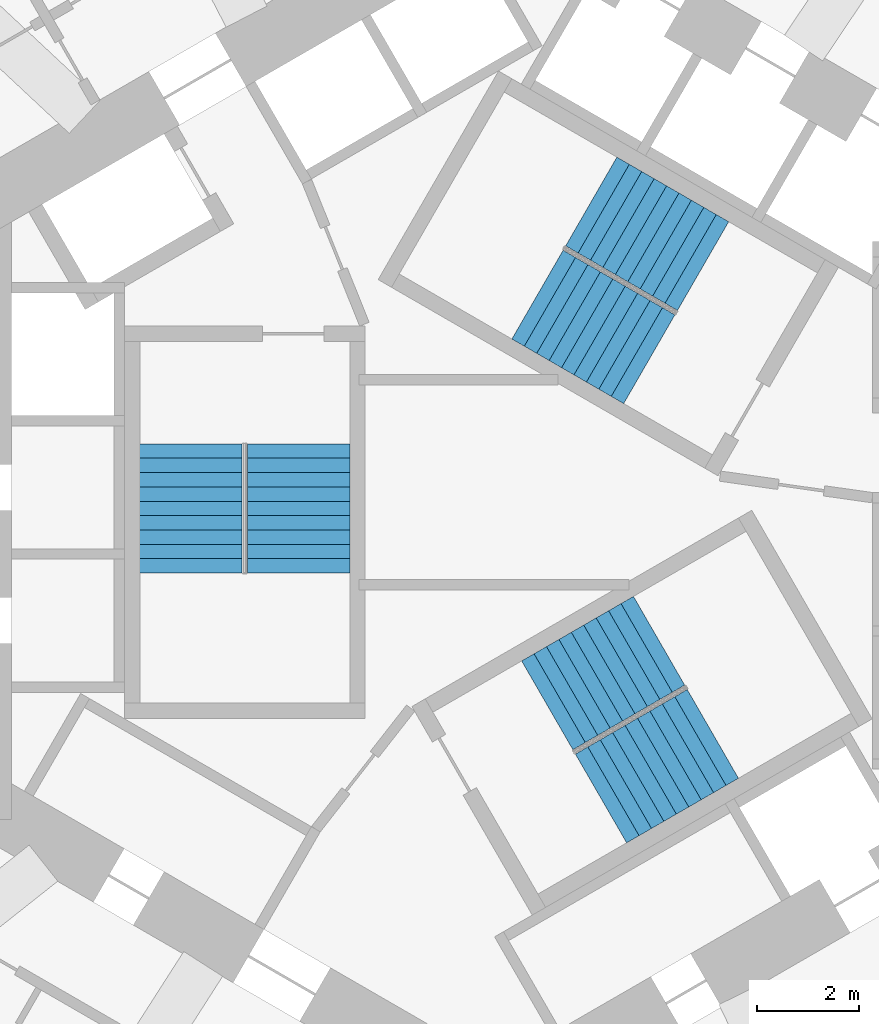
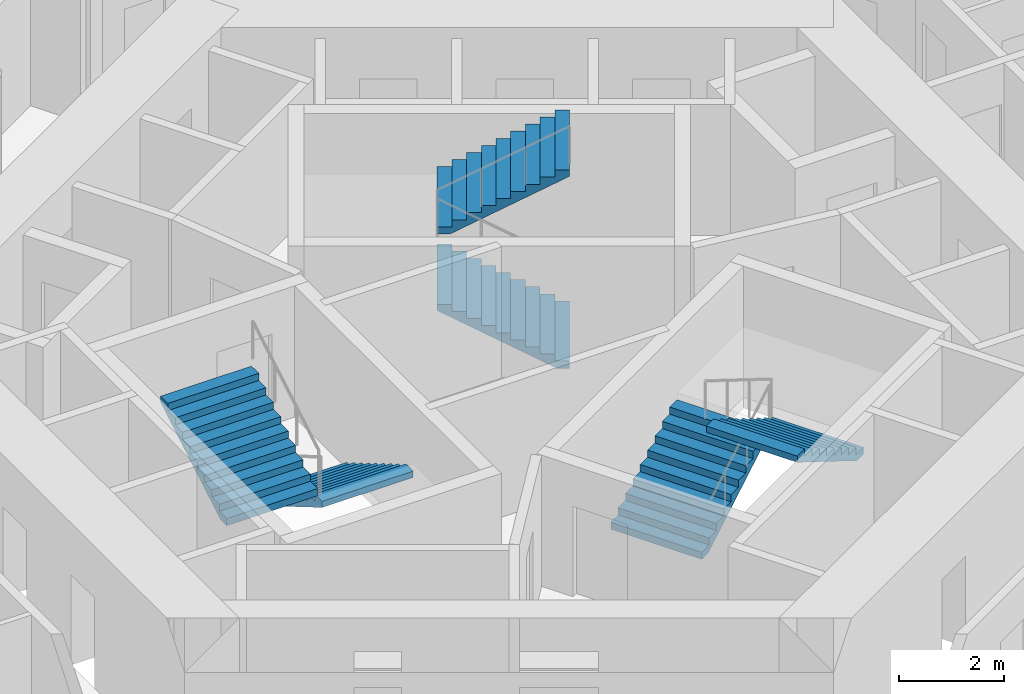
# One storey, part 10 of 12: 6 stair flights, 3 elements without a shape of their own.
"""IFC4 building model written with IfcOpenShell, lengths in metres."""

from ifc_helpers import new_model, si_unit, direction, frame, origin, place, context, subcontext, project, spatial, triangles, source, transform, mapped, material, type_object, element, aggregate, save


model = new_model("IFC4")

# Units and contexts
model_context = context("Model", 3, precision=1e-05, world=origin(), true_north=direction((0.0, 1.0)))
body_context = subcontext(model_context, "Body", "Model", "MODEL_VIEW")
ifc_project = project(units=[si_unit("LENGTHUNIT", "METRE"), si_unit("AREAUNIT", "SQUARE_METRE"), si_unit("VOLUMEUNIT", "CUBIC_METRE"), si_unit("PLANEANGLEUNIT", "RADIAN"), si_unit("MASSUNIT", "GRAM", prefix="KILO")], contexts=[model_context])

# Site, building, storey
site_placement = place(None, origin())
site = spatial("IfcSite", under=ifc_project, at=site_placement, CompositionType="ELEMENT")
building_placement = place(site_placement, origin())
building = spatial("IfcBuilding", under=site, at=building_placement, Name="Vanh Sen Convention Tower", CompositionType="ELEMENT")
storey_placement = place(building_placement, frame((0.0, 0.0, 86.89990234375)))
storey = spatial("IfcBuildingStorey", under=building, at=storey_placement, Name="L19", CompositionType="ELEMENT", Elevation=86.89990234375)

# Stair, stair flights
ifc_material_1 = material(Name="Concrete C50/60", Category="concrete")
stair_type_1 = type_object("IfcStairType", Name="Exit stair ST1 20 risers at 165.0", PredefinedType="HALF_TURN_STAIR", material=ifc_material_1)
stair_1_placement = place(storey_placement, origin())
stair_1 = element("IfcStair", 1, at=stair_1_placement, inside=storey, type_object=stair_type_1, Name="Exit stair ST1 L19", PredefinedType="HALF_TURN_STAIR")
ifc_material_2 = material(Name="Concrete C40/50", Category="concrete")
stair_flight_type = type_object("IfcStairFlightType", Name="Stair flight 2000", PredefinedType="STRAIGHT", material=ifc_material_2)
shared_shape = source(origin(), body_context, "Body", "Tessellation", [
    triangles([(0.24609375, 1.0, 0.0), (0.0, 1.0, 0.0), (0.0, 1.0, 0.1650390625), (0.280029296875, 1.0, 0.1650390625), (0.280029296875, 1.0, 0.330078125), (0.56005859375, 1.0, 0.330078125), (0.56005859375, 1.0, 0.4951171875), (0.840087890625, 1.0, 0.4951171875), (0.840087890625, 1.0, 0.659912109375), (1.1201171875, 1.0, 0.659912109375), (1.1201171875, 1.0, 0.824951171875), (1.39990234375, 1.0, 0.824951171875), (1.39990234375, 1.0, 0.989990234375), (1.679931640625, 1.0, 0.989990234375), (1.679931640625, 1.0, 1.155029296875), (1.9599609375, 1.0, 1.155029296875), (1.9599609375, 1.0, 1.320068359375), (2.239990234375, 1.0, 1.320068359375), (2.239990234375, 1.0, 1.485107421875), (2.52001953125, 1.0, 1.485107421875), (2.52001953125, 1.0, 1.33984375), (0.24609375, -1.0, 0.0), (0.0, -1.0, 0.0), (0.0, -1.0, 0.1650390625), (0.280029296875, -1.0, 0.1650390625), (0.280029296875, -1.0, 0.330078125), (0.56005859375, -1.0, 0.330078125), (0.56005859375, -1.0, 0.4951171875), (0.840087890625, -1.0, 0.4951171875), (0.840087890625, -1.0, 0.659912109375), (1.1201171875, -1.0, 0.659912109375), (1.1201171875, -1.0, 0.824951171875), (1.39990234375, -1.0, 0.824951171875), (1.39990234375, -1.0, 0.989990234375), (1.679931640625, -1.0, 0.989990234375), (1.679931640625, -1.0, 1.155029296875), (1.9599609375, -1.0, 1.155029296875), (1.9599609375, -1.0, 1.320068359375), (2.239990234375, -1.0, 1.320068359375), (2.239990234375, -1.0, 1.485107421875), (2.52001953125, -1.0, 1.485107421875), (2.52001953125, -1.0, 1.33984375), (0.0, 0.0400390625, 0.0), (0.0, 0.0390625, 0.0), (0.0, 0.0380859375, 0.0), (0.0, 0.037109375, 0.0), (0.0, 0.035888671875, 0.0), (0.0, 0.034912109375, 0.0), (0.0, 0.033935546875, 0.0), (0.0, 0.032958984375, 0.0), (0.0, 0.031982421875, 0.0), (0.0, 0.031005859375, 0.0), (0.0, 0.030029296875, 0.0), (0.0, 0.029052734375, 0.0), (0.0, 0.028076171875, 0.0), (0.0, 0.027099609375, 0.0), (0.0, 0.02587890625, 0.0), (0.0, 0.02490234375, 0.0), (0.0, 0.02392578125, 0.0), (0.0, 0.02294921875, 0.0), (0.0, 0.02197265625, 0.0), (0.0, 0.02099609375, 0.0), (0.0, 0.02001953125, 0.0), (0.0, 0.01904296875, 0.0), (0.0, 0.01806640625, 0.0), (0.0, 0.01708984375, 0.0), (0.0, 0.01611328125, 0.0), (0.0, 0.014892578125, 0.0), (0.0, 0.013916015625, 0.0), (0.0, 0.012939453125, 0.0), (0.0, 0.011962890625, 0.0), (0.0, 0.010986328125, 0.0), (0.0, 0.010009765625, 0.0), (0.0, 0.009033203125, 0.0), (0.0, 0.008056640625, 0.0), (0.0, 0.007080078125, 0.0), (0.0, 0.006103515625, 0.0), (0.0, 0.0048828125, 0.0), (0.0, 0.00390625, 0.0), (0.0, 0.0029296875, 0.0), (0.0, 0.001953125, 0.0), (0.0, 0.0009765625, 0.0), (0.0, 0.0, 0.0), (0.0, -0.0009765625, 0.0), (0.0, -0.001953125, 0.0), (0.0, -0.0029296875, 0.0), (0.0, -0.00390625, 0.0), (0.0, -0.0048828125, 0.0), (0.0, -0.006103515625, 0.0), (0.0, -0.007080078125, 0.0), (0.0, -0.008056640625, 0.0), (0.0, -0.009033203125, 0.0), (0.0, -0.010009765625, 0.0), (0.0, -0.010986328125, 0.0), (0.0, -0.011962890625, 0.0), (0.0, -0.012939453125, 0.0), (0.0, -0.013916015625, 0.0), (0.0, -0.014892578125, 0.0), (0.0, -0.01611328125, 0.0), (0.0, -0.01708984375, 0.0), (0.0, -0.01806640625, 0.0), (0.0, -0.01904296875, 0.0), (0.0, -0.02001953125, 0.0), (0.0, -0.02099609375, 0.0), (0.0, -0.02197265625, 0.0), (0.0, -0.02294921875, 0.0), (0.0, -0.02392578125, 0.0), (0.0, -0.02490234375, 0.0), (0.0, -0.02587890625, 0.0), (0.0, -0.027099609375, 0.0), (0.0, -0.028076171875, 0.0), (0.0, -0.029052734375, 0.0), (0.0, -0.030029296875, 0.0), (0.0, -0.031005859375, 0.0), (0.0, -0.031982421875, 0.0), (0.0, -0.032958984375, 0.0), (0.0, -0.033935546875, 0.0), (0.0, -0.034912109375, 0.0), (0.0, -0.035888671875, 0.0), (0.0, -0.037109375, 0.0), (0.0, -0.0380859375, 0.0), (0.0, -0.0390625, 0.0), (0.0, -0.0400390625, 0.0), (0.0, 0.0400390625, 0.1650390625), (0.0, 0.0390625, 0.1650390625), (0.0, 0.0380859375, 0.1650390625), (0.0, 0.037109375, 0.1650390625), (0.0, 0.035888671875, 0.1650390625), (0.0, 0.034912109375, 0.1650390625), (0.0, 0.033935546875, 0.1650390625), (0.0, 0.032958984375, 0.1650390625), (0.0, 0.031982421875, 0.1650390625), (0.0, 0.031005859375, 0.1650390625), (0.0, 0.030029296875, 0.1650390625), (0.0, 0.029052734375, 0.1650390625), (0.0, 0.028076171875, 0.1650390625), (0.0, 0.027099609375, 0.1650390625), (0.0, 0.02587890625, 0.1650390625), (0.0, 0.02490234375, 0.1650390625), (0.0, 0.02392578125, 0.1650390625), (0.0, 0.02294921875, 0.1650390625), (0.0, 0.02197265625, 0.1650390625), (0.0, 0.02099609375, 0.1650390625), (0.0, 0.02001953125, 0.1650390625), (0.0, 0.01904296875, 0.1650390625), (0.0, 0.01806640625, 0.1650390625), (0.0, 0.01708984375, 0.1650390625), (0.0, 0.01611328125, 0.1650390625), (0.0, 0.014892578125, 0.1650390625), (0.0, 0.013916015625, 0.1650390625), (0.0, 0.012939453125, 0.1650390625), (0.0, 0.011962890625, 0.1650390625), (0.0, 0.010986328125, 0.1650390625), (0.0, 0.010009765625, 0.1650390625), (0.0, 0.009033203125, 0.1650390625), (0.0, 0.008056640625, 0.1650390625), (0.0, 0.007080078125, 0.1650390625), (0.0, 0.006103515625, 0.1650390625), (0.0, 0.0048828125, 0.1650390625), (0.0, 0.00390625, 0.1650390625), (0.0, 0.0029296875, 0.1650390625), (0.0, 0.001953125, 0.1650390625), (0.0, 0.0009765625, 0.1650390625), (0.0, 0.0, 0.1650390625), (0.0, -0.0009765625, 0.1650390625), (0.0, -0.001953125, 0.1650390625), (0.0, -0.0029296875, 0.1650390625), (0.0, -0.00390625, 0.1650390625), (0.0, -0.0048828125, 0.1650390625), (0.0, -0.006103515625, 0.1650390625), (0.0, -0.007080078125, 0.1650390625), (0.0, -0.008056640625, 0.1650390625), (0.0, -0.009033203125, 0.1650390625), (0.0, -0.010009765625, 0.1650390625), (0.0, -0.010986328125, 0.1650390625), (0.0, -0.011962890625, 0.1650390625), (0.0, -0.012939453125, 0.1650390625), (0.0, -0.013916015625, 0.1650390625), (0.0, -0.014892578125, 0.1650390625), (0.0, -0.01611328125, 0.1650390625), (0.0, -0.01708984375, 0.1650390625), (0.0, -0.01806640625, 0.1650390625), (0.0, -0.01904296875, 0.1650390625), (0.0, -0.02001953125, 0.1650390625), (0.0, -0.02099609375, 0.1650390625), (0.0, -0.02197265625, 0.1650390625), (0.0, -0.02294921875, 0.1650390625), (0.0, -0.02392578125, 0.1650390625), (0.0, -0.02490234375, 0.1650390625), (0.0, -0.02587890625, 0.1650390625), (0.0, -0.027099609375, 0.1650390625), (0.0, -0.028076171875, 0.1650390625), (0.0, -0.029052734375, 0.1650390625), (0.0, -0.030029296875, 0.1650390625), (0.0, -0.031005859375, 0.1650390625), (0.0, -0.031982421875, 0.1650390625), (0.0, -0.032958984375, 0.1650390625), (0.0, -0.033935546875, 0.1650390625), (0.0, -0.034912109375, 0.1650390625), (0.0, -0.035888671875, 0.1650390625), (0.0, -0.037109375, 0.1650390625), (0.0, -0.0380859375, 0.1650390625), (0.0, -0.0390625, 0.1650390625), (0.0, -0.0400390625, 0.1650390625), (0.280029296875, 0.0, 0.1650390625), (0.280029296875, 0.0, 0.330078125), (0.56005859375, 0.0, 0.330078125), (0.56005859375, 0.0, 0.4951171875), (0.840087890625, 0.0, 0.4951171875), (0.840087890625, 0.0, 0.659912109375), (1.1201171875, 0.0, 0.659912109375), (1.1201171875, 0.0, 0.824951171875), (1.39990234375, 0.0, 0.824951171875), (1.39990234375, 0.0, 0.989990234375), (1.679931640625, 0.0, 0.989990234375), (1.679931640625, 0.0, 1.155029296875), (1.9599609375, 0.0, 1.155029296875), (1.9599609375, 0.0, 1.320068359375), (2.239990234375, 0.0, 1.320068359375), (2.239990234375, 0.0, 1.485107421875), (2.52001953125, 0.0400390625, 1.485107421875), (2.52001953125, 0.0390625, 1.485107421875), (2.52001953125, 0.0380859375, 1.485107421875), (2.52001953125, 0.037109375, 1.485107421875), (2.52001953125, 0.035888671875, 1.485107421875), (2.52001953125, 0.034912109375, 1.485107421875), (2.52001953125, 0.033935546875, 1.485107421875), (2.52001953125, 0.032958984375, 1.485107421875), (2.52001953125, 0.031982421875, 1.485107421875), (2.52001953125, 0.031005859375, 1.485107421875), (2.52001953125, 0.030029296875, 1.485107421875), (2.52001953125, 0.029052734375, 1.485107421875), (2.52001953125, 0.028076171875, 1.485107421875), (2.52001953125, 0.027099609375, 1.485107421875), (2.52001953125, 0.02587890625, 1.485107421875), (2.52001953125, 0.02490234375, 1.485107421875), (2.52001953125, 0.02392578125, 1.485107421875), (2.52001953125, 0.02294921875, 1.485107421875), (2.52001953125, 0.02197265625, 1.485107421875), (2.52001953125, 0.02099609375, 1.485107421875), (2.52001953125, 0.02001953125, 1.485107421875), (2.52001953125, 0.01904296875, 1.485107421875), (2.52001953125, 0.01806640625, 1.485107421875), (2.52001953125, 0.01708984375, 1.485107421875), (2.52001953125, 0.01611328125, 1.485107421875), (2.52001953125, 0.014892578125, 1.485107421875), (2.52001953125, 0.013916015625, 1.485107421875), (2.52001953125, 0.012939453125, 1.485107421875), (2.52001953125, 0.011962890625, 1.485107421875), (2.52001953125, 0.010986328125, 1.485107421875), (2.52001953125, 0.010009765625, 1.485107421875), (2.52001953125, 0.009033203125, 1.485107421875), (2.52001953125, 0.008056640625, 1.485107421875), (2.52001953125, 0.007080078125, 1.485107421875), (2.52001953125, 0.006103515625, 1.485107421875), (2.52001953125, 0.0048828125, 1.485107421875), (2.52001953125, 0.00390625, 1.485107421875), (2.52001953125, 0.0029296875, 1.485107421875), (2.52001953125, 0.001953125, 1.485107421875), (2.52001953125, 0.0009765625, 1.485107421875), (2.52001953125, 0.0, 1.485107421875), (2.52001953125, -0.0009765625, 1.485107421875), (2.52001953125, -0.001953125, 1.485107421875), (2.52001953125, -0.0029296875, 1.485107421875), (2.52001953125, -0.00390625, 1.485107421875), (2.52001953125, -0.0048828125, 1.485107421875), (2.52001953125, -0.006103515625, 1.485107421875), (2.52001953125, -0.007080078125, 1.485107421875), (2.52001953125, -0.008056640625, 1.485107421875), (2.52001953125, -0.009033203125, 1.485107421875), (2.52001953125, -0.010009765625, 1.485107421875), (2.52001953125, -0.010986328125, 1.485107421875), (2.52001953125, -0.011962890625, 1.485107421875), (2.52001953125, -0.012939453125, 1.485107421875), (2.52001953125, -0.013916015625, 1.485107421875), (2.52001953125, -0.014892578125, 1.485107421875), (2.52001953125, -0.01611328125, 1.485107421875), (2.52001953125, -0.01708984375, 1.485107421875), (2.52001953125, -0.01806640625, 1.485107421875), (2.52001953125, -0.01904296875, 1.485107421875), (2.52001953125, -0.02001953125, 1.485107421875), (2.52001953125, -0.02099609375, 1.485107421875), (2.52001953125, -0.02197265625, 1.485107421875), (2.52001953125, -0.02294921875, 1.485107421875), (2.52001953125, -0.02392578125, 1.485107421875), (2.52001953125, -0.02490234375, 1.485107421875), (2.52001953125, -0.02587890625, 1.485107421875), (2.52001953125, -0.027099609375, 1.485107421875), (2.52001953125, -0.028076171875, 1.485107421875), (2.52001953125, -0.029052734375, 1.485107421875), (2.52001953125, -0.030029296875, 1.485107421875), (2.52001953125, -0.031005859375, 1.485107421875), (2.52001953125, -0.031982421875, 1.485107421875), (2.52001953125, -0.032958984375, 1.485107421875), (2.52001953125, -0.033935546875, 1.485107421875), (2.52001953125, -0.034912109375, 1.485107421875), (2.52001953125, -0.035888671875, 1.485107421875), (2.52001953125, -0.037109375, 1.485107421875), (2.52001953125, -0.0380859375, 1.485107421875), (2.52001953125, -0.0390625, 1.485107421875), (2.52001953125, -0.0400390625, 1.485107421875), (2.52001953125, 0.0400390625, 1.33984375), (2.52001953125, 0.0390625, 1.33984375), (2.52001953125, 0.0380859375, 1.33984375), (2.52001953125, 0.037109375, 1.33984375), (2.52001953125, 0.035888671875, 1.33984375), (2.52001953125, 0.034912109375, 1.33984375), (2.52001953125, 0.033935546875, 1.33984375), (2.52001953125, 0.032958984375, 1.33984375), (2.52001953125, 0.031982421875, 1.33984375), (2.52001953125, 0.031005859375, 1.33984375), (2.52001953125, 0.030029296875, 1.33984375), (2.52001953125, 0.029052734375, 1.33984375), (2.52001953125, 0.028076171875, 1.33984375), (2.52001953125, 0.027099609375, 1.33984375), (2.52001953125, 0.02587890625, 1.33984375), (2.52001953125, 0.02490234375, 1.33984375), (2.52001953125, 0.02392578125, 1.33984375), (2.52001953125, 0.02294921875, 1.33984375), (2.52001953125, 0.02197265625, 1.33984375), (2.52001953125, 0.02099609375, 1.33984375), (2.52001953125, 0.02001953125, 1.33984375), (2.52001953125, 0.01904296875, 1.33984375), (2.52001953125, 0.01806640625, 1.33984375), (2.52001953125, 0.01708984375, 1.33984375), (2.52001953125, 0.01611328125, 1.33984375), (2.52001953125, 0.014892578125, 1.33984375), (2.52001953125, 0.013916015625, 1.33984375), (2.52001953125, 0.012939453125, 1.33984375), (2.52001953125, 0.011962890625, 1.33984375), (2.52001953125, 0.010986328125, 1.33984375), (2.52001953125, 0.010009765625, 1.33984375), (2.52001953125, 0.009033203125, 1.33984375), (2.52001953125, 0.008056640625, 1.33984375), (2.52001953125, 0.007080078125, 1.33984375), (2.52001953125, 0.006103515625, 1.33984375), (2.52001953125, 0.0048828125, 1.33984375), (2.52001953125, 0.00390625, 1.33984375), (2.52001953125, 0.0029296875, 1.33984375), (2.52001953125, 0.001953125, 1.33984375), (2.52001953125, 0.0009765625, 1.33984375), (2.52001953125, 0.0, 1.33984375), (2.52001953125, -0.0009765625, 1.33984375), (2.52001953125, -0.001953125, 1.33984375), (2.52001953125, -0.0029296875, 1.33984375), (2.52001953125, -0.00390625, 1.33984375), (2.52001953125, -0.0048828125, 1.33984375), (2.52001953125, -0.006103515625, 1.33984375), (2.52001953125, -0.007080078125, 1.33984375), (2.52001953125, -0.008056640625, 1.33984375), (2.52001953125, -0.009033203125, 1.33984375), (2.52001953125, -0.010009765625, 1.33984375), (2.52001953125, -0.010986328125, 1.33984375), (2.52001953125, -0.011962890625, 1.33984375), (2.52001953125, -0.012939453125, 1.33984375), (2.52001953125, -0.013916015625, 1.33984375), (2.52001953125, -0.014892578125, 1.33984375), (2.52001953125, -0.01611328125, 1.33984375), (2.52001953125, -0.01708984375, 1.33984375), (2.52001953125, -0.01806640625, 1.33984375), (2.52001953125, -0.01904296875, 1.33984375), (2.52001953125, -0.02001953125, 1.33984375), (2.52001953125, -0.02099609375, 1.33984375), (2.52001953125, -0.02197265625, 1.33984375), (2.52001953125, -0.02294921875, 1.33984375), (2.52001953125, -0.02392578125, 1.33984375), (2.52001953125, -0.02490234375, 1.33984375), (2.52001953125, -0.02587890625, 1.33984375), (2.52001953125, -0.027099609375, 1.33984375), (2.52001953125, -0.028076171875, 1.33984375), (2.52001953125, -0.029052734375, 1.33984375), (2.52001953125, -0.030029296875, 1.33984375), (2.52001953125, -0.031005859375, 1.33984375), (2.52001953125, -0.031982421875, 1.33984375), (2.52001953125, -0.032958984375, 1.33984375), (2.52001953125, -0.033935546875, 1.33984375), (2.52001953125, -0.034912109375, 1.33984375), (2.52001953125, -0.035888671875, 1.33984375), (2.52001953125, -0.037109375, 1.33984375), (2.52001953125, -0.0380859375, 1.33984375), (2.52001953125, -0.0390625, 1.33984375), (2.52001953125, -0.0400390625, 1.33984375), (0.24609375, 0.0, 0.0)], [[1, 2, 3], [1, 3, 4], [4, 5, 6], [1, 4, 6], [6, 7, 8], [1, 6, 8], [8, 9, 10], [1, 8, 10], [10, 11, 12], [1, 10, 12], [12, 13, 14], [1, 12, 14], [14, 15, 16], [1, 14, 16], [16, 17, 18], [1, 16, 18], [18, 19, 20], [1, 18, 20], [20, 21, 1], [22, 24, 23], [22, 25, 24], [25, 27, 26], [22, 27, 25], [27, 29, 28], [22, 29, 27], [29, 31, 30], [22, 31, 29], [31, 33, 32], [22, 33, 31], [33, 35, 34], [22, 35, 33], [35, 37, 36], [22, 37, 35], [37, 39, 38], [22, 39, 37], [39, 41, 40], [22, 41, 39], [41, 22, 42], [2, 124, 3], [2, 43, 124], [43, 125, 124], [43, 44, 125], [44, 126, 125], [44, 45, 126], [45, 127, 126], [45, 46, 127], [46, 128, 127], [46, 47, 128], [47, 129, 128], [47, 48, 129], [48, 130, 129], [48, 49, 130], [49, 131, 130], [49, 50, 131], [50, 132, 131], [50, 51, 132], [51, 133, 132], [51, 52, 133], [52, 134, 133], [52, 53, 134], [53, 135, 134], [53, 54, 135], [54, 136, 135], [54, 55, 136], [55, 137, 136], [55, 56, 137], [56, 138, 137], [56, 57, 138], [57, 139, 138], [57, 58, 139], [58, 140, 139], [58, 59, 140], [59, 141, 140], [59, 60, 141], [60, 142, 141], [60, 61, 142], [61, 143, 142], [61, 62, 143], [62, 144, 143], [62, 63, 144], [63, 145, 144], [63, 64, 145], [64, 146, 145], [64, 65, 146], [65, 147, 146], [65, 66, 147], [66, 148, 147], [66, 67, 148], [67, 149, 148], [67, 68, 149], [68, 150, 149], [68, 69, 150], [69, 151, 150], [69, 70, 151], [70, 152, 151], [70, 71, 152], [71, 153, 152], [71, 72, 153], [72, 154, 153], [72, 73, 154], [73, 155, 154], [73, 74, 155], [74, 156, 155], [74, 75, 156], [75, 157, 156], [75, 76, 157], [76, 158, 157], [76, 77, 158], [77, 159, 158], [77, 78, 159], [78, 160, 159], [78, 79, 160], [79, 161, 160], [79, 80, 161], [80, 162, 161], [80, 81, 162], [81, 163, 162], [81, 82, 163], [82, 164, 163], [82, 83, 164], [83, 84, 164], [164, 84, 165], [84, 85, 165], [165, 85, 166], [85, 86, 166], [166, 86, 167], [86, 87, 167], [167, 87, 168], [87, 88, 168], [168, 88, 169], [88, 89, 169], [169, 89, 170], [89, 90, 170], [170, 90, 171], [90, 91, 171], [171, 91, 172], [91, 92, 172], [172, 92, 173], [92, 93, 173], [173, 93, 174], [93, 94, 174], [174, 94, 175], [94, 95, 175], [175, 95, 176], [95, 96, 176], [176, 96, 177], [96, 97, 177], [177, 97, 178], [97, 98, 178], [178, 98, 179], [98, 99, 179], [179, 99, 180], [99, 100, 180], [180, 100, 181], [100, 101, 181], [181, 101, 182], [101, 102, 182], [182, 102, 183], [102, 103, 183], [183, 103, 184], [103, 104, 184], [184, 104, 185], [104, 105, 185], [185, 105, 186], [105, 106, 186], [186, 106, 187], [106, 107, 187], [187, 107, 188], [107, 108, 188], [188, 108, 189], [108, 109, 189], [189, 109, 190], [109, 110, 190], [190, 110, 191], [110, 111, 191], [191, 111, 192], [111, 112, 192], [192, 112, 193], [112, 113, 193], [193, 113, 194], [113, 114, 194], [194, 114, 195], [114, 115, 195], [195, 115, 196], [115, 116, 196], [196, 116, 197], [116, 117, 197], [197, 117, 198], [117, 118, 198], [198, 118, 199], [118, 119, 199], [199, 119, 200], [119, 120, 200], [200, 120, 201], [120, 121, 201], [201, 121, 202], [121, 122, 202], [202, 122, 203], [122, 123, 203], [203, 123, 204], [123, 23, 204], [204, 23, 24], [4, 3, 124], [4, 124, 125], [4, 125, 126], [4, 126, 127], [4, 127, 128], [4, 128, 129], [4, 129, 130], [4, 130, 131], [4, 131, 132], [4, 132, 133], [4, 133, 134], [4, 134, 135], [4, 135, 136], [4, 136, 137], [4, 137, 138], [4, 138, 139], [4, 139, 140], [4, 140, 141], [4, 141, 142], [4, 142, 143], [4, 143, 144], [4, 144, 145], [4, 145, 146], [4, 146, 147], [4, 147, 148], [4, 148, 149], [4, 149, 150], [4, 150, 151], [4, 151, 152], [4, 152, 153], [4, 153, 154], [4, 154, 155], [4, 155, 156], [4, 156, 157], [4, 157, 158], [4, 158, 159], [4, 159, 160], [4, 160, 161], [4, 161, 162], [4, 162, 163], [4, 163, 164], [25, 164, 165], [25, 165, 166], [25, 166, 167], [25, 167, 168], [25, 168, 169], [25, 169, 170], [25, 170, 171], [25, 171, 172], [25, 172, 173], [25, 173, 174], [25, 174, 175], [25, 175, 176], [25, 176, 177], [25, 177, 178], [25, 178, 179], [25, 179, 180], [25, 180, 181], [25, 181, 182], [25, 182, 183], [25, 183, 184], [25, 184, 185], [25, 185, 186], [25, 186, 187], [25, 187, 188], [25, 188, 189], [25, 189, 190], [25, 190, 191], [25, 191, 192], [25, 192, 193], [25, 193, 194], [25, 194, 195], [25, 195, 196], [25, 196, 197], [25, 197, 198], [25, 198, 199], [25, 199, 200], [25, 200, 201], [25, 201, 202], [25, 202, 203], [25, 203, 204], [25, 204, 24], [4, 164, 205], [25, 205, 164], [4, 206, 5], [4, 205, 206], [205, 25, 206], [206, 25, 26], [5, 207, 6], [5, 206, 207], [206, 26, 207], [207, 26, 27], [6, 208, 7], [6, 207, 208], [207, 27, 208], [208, 27, 28], [7, 209, 8], [7, 208, 209], [208, 28, 209], [209, 28, 29], [8, 210, 9], [8, 209, 210], [209, 29, 210], [210, 29, 30], [9, 211, 10], [9, 210, 211], [210, 30, 211], [211, 30, 31], [10, 212, 11], [10, 211, 212], [211, 31, 212], [212, 31, 32], [11, 213, 12], [11, 212, 213], [212, 32, 213], [213, 32, 33], [12, 214, 13], [12, 213, 214], [213, 33, 214], [214, 33, 34], [13, 215, 14], [13, 214, 215], [214, 34, 215], [215, 34, 35], [14, 216, 15], [14, 215, 216], [215, 35, 216], [216, 35, 36], [15, 217, 16], [15, 216, 217], [216, 36, 217], [217, 36, 37], [16, 218, 17], [16, 217, 218], [217, 37, 218], [218, 37, 38], [17, 219, 18], [17, 218, 219], [218, 38, 219], [219, 38, 39], [18, 220, 19], [18, 219, 220], [219, 39, 220], [220, 39, 40], [19, 221, 20], [19, 222, 221], [19, 223, 222], [19, 224, 223], [19, 225, 224], [19, 226, 225], [19, 227, 226], [19, 228, 227], [19, 229, 228], [19, 230, 229], [19, 231, 230], [19, 232, 231], [19, 233, 232], [19, 234, 233], [19, 235, 234], [19, 236, 235], [19, 237, 236], [19, 238, 237], [19, 239, 238], [19, 240, 239], [19, 241, 240], [19, 242, 241], [19, 243, 242], [19, 244, 243], [19, 245, 244], [19, 246, 245], [19, 247, 246], [19, 248, 247], [19, 249, 248], [19, 250, 249], [19, 251, 250], [19, 252, 251], [19, 253, 252], [19, 254, 253], [19, 255, 254], [19, 256, 255], [19, 257, 256], [19, 258, 257], [19, 259, 258], [19, 260, 259], [19, 261, 260], [40, 262, 261], [40, 263, 262], [40, 264, 263], [40, 265, 264], [40, 266, 265], [40, 267, 266], [40, 268, 267], [40, 269, 268], [40, 270, 269], [40, 271, 270], [40, 272, 271], [40, 273, 272], [40, 274, 273], [40, 275, 274], [40, 276, 275], [40, 277, 276], [40, 278, 277], [40, 279, 278], [40, 280, 279], [40, 281, 280], [40, 282, 281], [40, 283, 282], [40, 284, 283], [40, 285, 284], [40, 286, 285], [40, 287, 286], [40, 288, 287], [40, 289, 288], [40, 290, 289], [40, 291, 290], [40, 292, 291], [40, 293, 292], [40, 294, 293], [40, 295, 294], [40, 296, 295], [40, 297, 296], [40, 298, 297], [40, 299, 298], [40, 300, 299], [40, 301, 300], [40, 41, 301], [19, 220, 261], [40, 261, 220], [20, 302, 21], [20, 221, 302], [221, 303, 302], [221, 222, 303], [222, 304, 303], [222, 223, 304], [223, 305, 304], [223, 224, 305], [224, 306, 305], [224, 225, 306], [225, 307, 306], [225, 226, 307], [226, 308, 307], [226, 227, 308], [227, 309, 308], [227, 228, 309], [228, 310, 309], [228, 229, 310], [229, 311, 310], [229, 230, 311], [230, 312, 311], [230, 231, 312], [231, 313, 312], [231, 232, 313], [232, 314, 313], [232, 233, 314], [233, 315, 314], [233, 234, 315], [234, 316, 315], [234, 235, 316], [235, 317, 316], [235, 236, 317], [236, 318, 317], [236, 237, 318], [237, 319, 318], [237, 238, 319], [238, 320, 319], [238, 239, 320], [239, 321, 320], [239, 240, 321], [240, 322, 321], [240, 241, 322], [241, 323, 322], [241, 242, 323], [242, 324, 323], [242, 243, 324], [243, 325, 324], [243, 244, 325], [244, 326, 325], [244, 245, 326], [245, 327, 326], [245, 246, 327], [246, 328, 327], [246, 247, 328], [247, 329, 328], [247, 248, 329], [248, 330, 329], [248, 249, 330], [249, 331, 330], [249, 250, 331], [250, 332, 331], [250, 251, 332], [251, 333, 332], [251, 252, 333], [252, 334, 333], [252, 253, 334], [253, 335, 334], [253, 254, 335], [254, 336, 335], [254, 255, 336], [255, 337, 336], [255, 256, 337], [256, 338, 337], [256, 257, 338], [257, 339, 338], [257, 258, 339], [258, 340, 339], [258, 259, 340], [259, 341, 340], [259, 260, 341], [260, 342, 341], [260, 261, 342], [261, 262, 342], [342, 262, 343], [262, 263, 343], [343, 263, 344], [263, 264, 344], [344, 264, 345], [264, 265, 345], [345, 265, 346], [265, 266, 346], [346, 266, 347], [266, 267, 347], [347, 267, 348], [267, 268, 348], [348, 268, 349], [268, 269, 349], [349, 269, 350], [269, 270, 350], [350, 270, 351], [270, 271, 351], [351, 271, 352], [271, 272, 352], [352, 272, 353], [272, 273, 353], [353, 273, 354], [273, 274, 354], [354, 274, 355], [274, 275, 355], [355, 275, 356], [275, 276, 356], [356, 276, 357], [276, 277, 357], [357, 277, 358], [277, 278, 358], [358, 278, 359], [278, 279, 359], [359, 279, 360], [279, 280, 360], [360, 280, 361], [280, 281, 361], [361, 281, 362], [281, 282, 362], [362, 282, 363], [282, 283, 363], [363, 283, 364], [283, 284, 364], [364, 284, 365], [284, 285, 365], [365, 285, 366], [285, 286, 366], [366, 286, 367], [286, 287, 367], [367, 287, 368], [287, 288, 368], [368, 288, 369], [288, 289, 369], [369, 289, 370], [289, 290, 370], [370, 290, 371], [290, 291, 371], [371, 291, 372], [291, 292, 372], [372, 292, 373], [292, 293, 373], [373, 293, 374], [293, 294, 374], [374, 294, 375], [294, 295, 375], [375, 295, 376], [295, 296, 376], [376, 296, 377], [296, 297, 377], [377, 297, 378], [297, 298, 378], [378, 298, 379], [298, 299, 379], [379, 299, 380], [299, 300, 380], [380, 300, 381], [300, 301, 381], [381, 301, 382], [301, 41, 382], [382, 41, 42], [1, 21, 302], [1, 302, 303], [1, 303, 304], [1, 304, 305], [1, 305, 306], [1, 306, 307], [1, 307, 308], [1, 308, 309], [1, 309, 310], [1, 310, 311], [1, 311, 312], [1, 312, 313], [1, 313, 314], [1, 314, 315], [1, 315, 316], [1, 316, 317], [1, 317, 318], [1, 318, 319], [1, 319, 320], [1, 320, 321], [1, 321, 322], [1, 322, 323], [1, 323, 324], [1, 324, 325], [1, 325, 326], [1, 326, 327], [1, 327, 328], [1, 328, 329], [1, 329, 330], [1, 330, 331], [1, 331, 332], [1, 332, 333], [1, 333, 334], [1, 334, 335], [1, 335, 336], [1, 336, 337], [1, 337, 338], [1, 338, 339], [1, 339, 340], [1, 340, 341], [1, 341, 342], [22, 342, 343], [22, 343, 344], [22, 344, 345], [22, 345, 346], [22, 346, 347], [22, 347, 348], [22, 348, 349], [22, 349, 350], [22, 350, 351], [22, 351, 352], [22, 352, 353], [22, 353, 354], [22, 354, 355], [22, 355, 356], [22, 356, 357], [22, 357, 358], [22, 358, 359], [22, 359, 360], [22, 360, 361], [22, 361, 362], [22, 362, 363], [22, 363, 364], [22, 364, 365], [22, 365, 366], [22, 366, 367], [22, 367, 368], [22, 368, 369], [22, 369, 370], [22, 370, 371], [22, 371, 372], [22, 372, 373], [22, 373, 374], [22, 374, 375], [22, 375, 376], [22, 376, 377], [22, 377, 378], [22, 378, 379], [22, 379, 380], [22, 380, 381], [22, 381, 382], [22, 382, 42], [1, 342, 383], [22, 383, 342], [1, 43, 2], [1, 44, 43], [1, 45, 44], [1, 46, 45], [1, 47, 46], [1, 48, 47], [1, 49, 48], [1, 50, 49], [1, 51, 50], [1, 52, 51], [1, 53, 52], [1, 54, 53], [1, 55, 54], [1, 56, 55], [1, 57, 56], [1, 58, 57], [1, 59, 58], [1, 60, 59], [1, 61, 60], [1, 62, 61], [1, 63, 62], [1, 64, 63], [1, 65, 64], [1, 66, 65], [1, 67, 66], [1, 68, 67], [1, 69, 68], [1, 70, 69], [1, 71, 70], [1, 72, 71], [1, 73, 72], [1, 74, 73], [1, 75, 74], [1, 76, 75], [1, 77, 76], [1, 78, 77], [1, 79, 78], [1, 80, 79], [1, 81, 80], [1, 82, 81], [1, 83, 82], [22, 84, 83], [22, 85, 84], [22, 86, 85], [22, 87, 86], [22, 88, 87], [22, 89, 88], [22, 90, 89], [22, 91, 90], [22, 92, 91], [22, 93, 92], [22, 94, 93], [22, 95, 94], [22, 96, 95], [22, 97, 96], [22, 98, 97], [22, 99, 98], [22, 100, 99], [22, 101, 100], [22, 102, 101], [22, 103, 102], [22, 104, 103], [22, 105, 104], [22, 106, 105], [22, 107, 106], [22, 108, 107], [22, 109, 108], [22, 110, 109], [22, 111, 110], [22, 112, 111], [22, 113, 112], [22, 114, 113], [22, 115, 114], [22, 116, 115], [22, 117, 116], [22, 118, 117], [22, 119, 118], [22, 120, 119], [22, 121, 120], [22, 122, 121], [22, 123, 122], [22, 23, 123], [1, 383, 83], [22, 83, 383]], closed=True),
])
stair_flight_1_placement = place(storey_placement, frame((2.94580078125, 2.802490234375, 0.0), z_axis=(0.0, 0.0, 1.0), x_axis=(-0.866025403784, 0.5, 0.0)))
stair_flight_1 = element("IfcStairFlight", 2, at=stair_flight_1_placement, type_object=stair_flight_type, Name="ST1 flight 1", NumberOfRisers=10, NumberOfTreads=9, PredefinedType="STRAIGHT", RiserHeight=0.165, TreadLength=0.28, context=body_context, shape_type="MappedRepresentation", body=[
    mapped(shared_shape, transform((0.0, 0.0, 0.0))),
])
stair_flight_2_placement = place(storey_placement, frame((1.8134765625, 5.881103515625, 1.650146484375), z_axis=(0.0, 0.0, 1.0), x_axis=(0.866025403784, -0.5, 0.0)))
stair_flight_2 = element("IfcStairFlight", 3, at=stair_flight_2_placement, type_object=stair_flight_type, Name="ST1 flight 2", NumberOfRisers=10, NumberOfTreads=9, PredefinedType="STRAIGHT", RiserHeight=0.165, TreadLength=0.28, context=body_context, shape_type="MappedRepresentation", body=[
    mapped(shared_shape, transform((0.0, 0.0, 0.0))),
])
aggregate(stair_1, [stair_flight_1, stair_flight_2])

stair_type_2 = type_object("IfcStairType", Name="Exit stair ST2 20 risers at 165.0", PredefinedType="HALF_TURN_STAIR", material=ifc_material_1)
stair_2_placement = place(storey_placement, origin())
stair_2 = element("IfcStair", 4, at=stair_2_placement, inside=storey, type_object=stair_type_2, Name="Exit stair ST2 L19", PredefinedType="HALF_TURN_STAIR")
stair_flight_3_placement = place(storey_placement, frame((-3.89990234375, 1.14990234375, 0.0), z_axis=(0.0, 0.0, 1.0), x_axis=(0.0, -1.0, 0.0)))
stair_flight_3 = element("IfcStairFlight", 5, at=stair_flight_3_placement, type_object=stair_flight_type, Name="ST2 flight 1", NumberOfRisers=10, NumberOfTreads=9, PredefinedType="STRAIGHT", RiserHeight=0.165, TreadLength=0.28, context=body_context, shape_type="MappedRepresentation", body=[
    mapped(shared_shape, transform((0.0, 0.0, 0.0))),
])
stair_flight_4_placement = place(storey_placement, frame((-6.0, -1.3701171875, 1.650146484375), z_axis=(0.0, 0.0, 1.0), x_axis=(0.0, 1.0, 0.0)))
stair_flight_4 = element("IfcStairFlight", 6, at=stair_flight_4_placement, type_object=stair_flight_type, Name="ST2 flight 2", NumberOfRisers=10, NumberOfTreads=9, PredefinedType="STRAIGHT", RiserHeight=0.165, TreadLength=0.28, context=body_context, shape_type="MappedRepresentation", body=[
    mapped(shared_shape, transform((0.0, 0.0, 0.0))),
])
aggregate(stair_2, [stair_flight_3, stair_flight_4])

stair_type_3 = type_object("IfcStairType", Name="Exit stair ST3 20 risers at 165.0", PredefinedType="HALF_TURN_STAIR", material=ifc_material_1)
stair_3_placement = place(storey_placement, origin())
stair_3 = element("IfcStair", 7, at=stair_3_placement, inside=storey, type_object=stair_type_3, Name="Exit stair ST3 L19", PredefinedType="HALF_TURN_STAIR")
stair_flight_5_placement = place(storey_placement, frame((0.9541015625, -3.952392578125, 0.0), z_axis=(0.0, 0.0, 1.0), x_axis=(0.866025403784, 0.5, 0.0)))
stair_flight_5 = element("IfcStairFlight", 8, at=stair_flight_5_placement, type_object=stair_flight_type, Name="ST3 flight 1", NumberOfRisers=10, NumberOfTreads=9, PredefinedType="STRAIGHT", RiserHeight=0.165, TreadLength=0.28, context=body_context, shape_type="MappedRepresentation", body=[
    mapped(shared_shape, transform((0.0, 0.0, 0.0))),
])
stair_flight_6_placement = place(storey_placement, frame((4.1865234375, -4.51123046875, 1.650146484375), z_axis=(0.0, 0.0, 1.0), x_axis=(-0.866025403784, -0.5, 0.0)))
stair_flight_6 = element("IfcStairFlight", 9, at=stair_flight_6_placement, type_object=stair_flight_type, Name="ST3 flight 2", NumberOfRisers=10, NumberOfTreads=9, PredefinedType="STRAIGHT", RiserHeight=0.165, TreadLength=0.28, context=body_context, shape_type="MappedRepresentation", body=[
    mapped(shared_shape, transform((0.0, 0.0, 0.0))),
])
aggregate(stair_3, [stair_flight_5, stair_flight_6])

save(model, "model.ifc")
